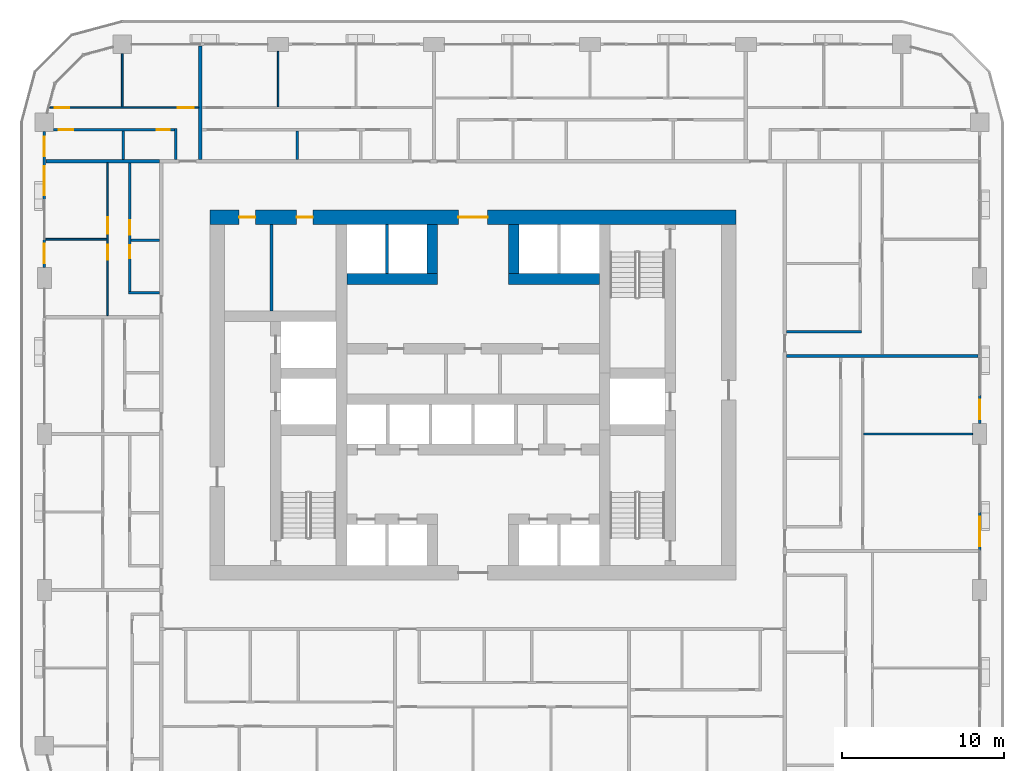
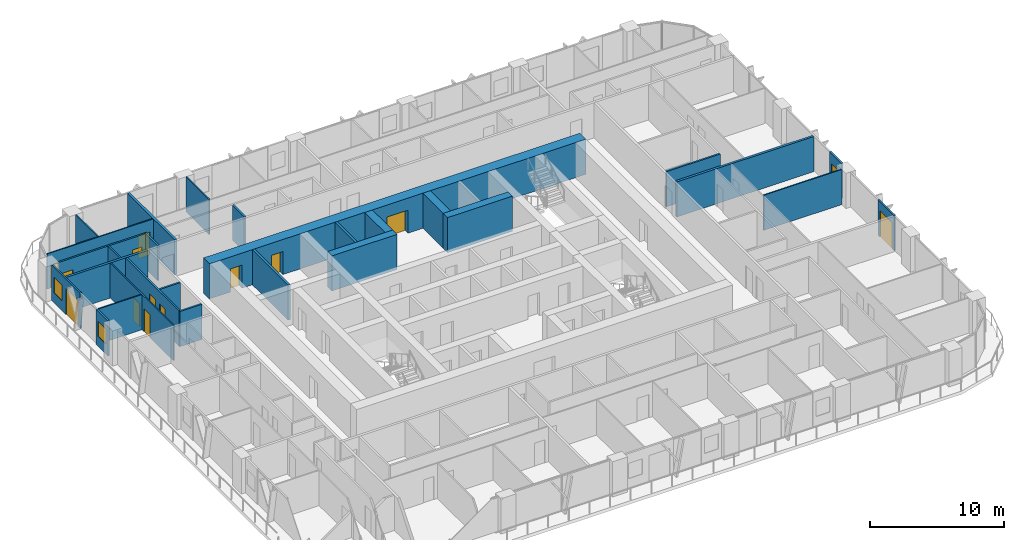
# One storey, part 13 of 22: 28 walls, 13 doors, 3 windows, 16 openings.
"""IFC4 building model written with IfcOpenShell, lengths in metres."""

from ifc_helpers import new_model, si_unit, direction, frame, frame_2d, origin, place, context, subcontext, project, spatial, rectangle, extrude, material, layer, layer_set, type_object, element, fill, save


model = new_model("IFC4")

# Units and contexts
model_context = context("Model", 3, precision=1e-05, world=origin(), true_north=direction((0.0, 1.0)))
body_context = subcontext(model_context, "Body", "Model", "MODEL_VIEW")
ifc_project = project(units=[si_unit("LENGTHUNIT", "METRE"), si_unit("AREAUNIT", "SQUARE_METRE"), si_unit("VOLUMEUNIT", "CUBIC_METRE"), si_unit("PLANEANGLEUNIT", "RADIAN"), si_unit("MASSUNIT", "GRAM", prefix="KILO")], contexts=[model_context])

# Site, building, storey
site_placement = place(None, origin())
site = spatial("IfcSite", under=ifc_project, at=site_placement, CompositionType="ELEMENT")
building_placement = place(site_placement, origin())
building = spatial("IfcBuilding", under=site, at=building_placement, Name="Madar Terraces", CompositionType="ELEMENT")
storey_placement = place(building_placement, frame((0.0, 0.0, 66.300048828125)))
storey = spatial("IfcBuildingStorey", under=building, at=storey_placement, Name="L16", CompositionType="ELEMENT", Elevation=66.300048828125)

# Walls
ifc_material_1 = material(Name="Concrete C80/95", Category="concrete")
ifc_layer_1 = layer(ifc_material_1, 0.64990234375)
ifc_layer_set_1 = layer_set([ifc_layer_1], Name="Concrete C80/95 (CIW2 RC wall 650)")
wall_type_1 = type_object("IfcWallType", Name="CIW2 RC wall 650", PredefinedType="SHEAR", material=ifc_layer_set_1)
wall_1_placement = place(storey_placement, frame((23.425048828125, 33.550048828125, 0.0), z_axis=(0.0, 0.0, 1.0), x_axis=(1.0, 0.0, 0.0)))
element("IfcWall", 1, at=wall_1_placement, inside=storey, type_object=wall_type_1, Name="CORE SHAFT WALL", PredefinedType="SHEAR", context=body_context, shape_type="SweptSolid", body=[
    extrude(rectangle(XDim=5.599853515625, YDim=0.64990234375, at=frame_2d((2.7998046875, 0.0))), origin(), (0.0, 0.0, 1.0), 3.199951171875),
])
wall_2_placement = place(storey_placement, frame((33.375, 33.550048828125, 0.0), z_axis=(0.0, 0.0, 1.0), x_axis=(1.0, 0.0, 0.0)))
element("IfcWall", 2, at=wall_2_placement, inside=storey, type_object=wall_type_1, Name="CORE SHAFT WALL", PredefinedType="SHEAR", context=body_context, shape_type="SweptSolid", body=[
    extrude(rectangle(XDim=5.60009765625, YDim=0.64990234375, at=frame_2d((2.800048828125, 0.0))), origin(), (0.0, 0.0, 1.0), 3.199951171875),
])
for number, where, z_axis, x_axis, name in (
    (3, (28.699951171875, 33.875, 0.0), (0.0, 0.0, 1.0), (0.0, 1.0, 0.0), "CORE SHAFT WALL"),
    (4, (33.699951171875, 33.875, 0.0), (0.0, 0.0, 1.0), (0.0, 1.0, 0.0), "CORE SHAFT WALL"),
):
    element("IfcWall", number, at=place(storey_placement, frame(where, z_axis=z_axis, x_axis=x_axis)), inside=storey, type_object=wall_type_1, Name=name, PredefinedType="SHEAR", context=body_context, shape_type="SweptSolid", body=[
        extrude(rectangle(XDim=3.02490234375, YDim=0.64990234375, at=frame_2d((1.512451171875, 0.0))), origin(), (0.0, 0.0, 1.0), 3.199951171875),
    ])

# Wall, openings, doors
ifc_material_2 = material(Name="Concrete C80/95", Category="concrete")
ifc_layer_2 = layer(ifc_material_2, 0.89990234375)
ifc_layer_set_2 = layer_set([ifc_layer_2], Name="Concrete C80/95 (CRW2 RC wall 900)")
wall_type_2 = type_object("IfcWallType", Name="CRW2 RC wall 900", PredefinedType="SHEAR", material=ifc_layer_set_2)
wall_3_placement = place(storey_placement, frame((15.0, 37.35009765625, 0.0), z_axis=(0.0, 0.0, 1.0), x_axis=(1.0, 0.0, 0.0)))
wall_3 = element("IfcWall", 5, at=wall_3_placement, inside=storey, type_object=wall_type_2, Name="CORE OUTER WALL", PredefinedType="SHEAR", context=body_context, shape_type="SweptSolid", body=[
    extrude(rectangle(XDim=32.39990234375, YDim=0.89990234375, at=frame_2d((16.199951171875, 0.0))), origin(), (0.0, 0.0, 1.0), 3.199951171875),
])
opening_1_placement = place(wall_3_placement, frame((15.300048828125, 0.0, 0.0)))
opening_1 = element("IfcOpeningElement", 6, at=opening_1_placement, cuts=wall_3, Name="Opening KD1", PredefinedType="OPENING", context=body_context, shape_type="SweptSolid", body=[
    extrude(rectangle(XDim=1.800048828125, YDim=2.10009765625, at=frame_2d((0.89990234375, 1.050048828125))), frame((0.0, 0.4599609375, 0.0), z_axis=(0.0, -1.0, 0.0), x_axis=(1.0, 0.0, 0.0)), (0.0, 0.0, 1.0), 0.919921875),
])
opening_2_placement = place(wall_3_placement, frame((1.793701171875, 0.0, 0.0)))
opening_2 = element("IfcOpeningElement", 7, at=opening_2_placement, cuts=wall_3, Name="Opening KD2", PredefinedType="OPENING", context=body_context, shape_type="SweptSolid", body=[
    extrude(rectangle(XDim=1.0, YDim=2.10009765625, at=frame_2d((0.5, 1.050048828125))), frame((0.0, 0.4599609375, 0.0), z_axis=(0.0, -1.0, 0.0), x_axis=(1.0, 0.0, 0.0)), (0.0, 0.0, 1.0), 0.919921875),
])
opening_3_placement = place(wall_3_placement, frame((5.331298828125, 0.0, 0.0)))
opening_3 = element("IfcOpeningElement", 8, at=opening_3_placement, cuts=wall_3, Name="Opening KD2", PredefinedType="OPENING", context=body_context, shape_type="SweptSolid", body=[
    extrude(rectangle(XDim=1.0, YDim=2.10009765625, at=frame_2d((0.5, 1.050048828125))), frame((0.0, 0.4599609375, 0.0), z_axis=(0.0, -1.0, 0.0), x_axis=(1.0, 0.0, 0.0)), (0.0, 0.0, 1.0), 0.919921875),
])
ifc_material_3 = material(Name="Steel door leaf", Category="steel")
door_type_1 = type_object("IfcDoorType", Name="Lobby door pair 1800 x 2100", OperationType="DOUBLE_DOOR_SINGLE_SWING", PredefinedType="DOOR", material=ifc_material_3)
door_1_placement = place(opening_1_placement, origin())
door_1 = element("IfcDoor", 9, at=door_1_placement, inside=storey, type_object=door_type_1, Name="LIFT LOBBY DOOR", OperationType="DOUBLE_DOOR_SINGLE_SWING", OverallHeight=2.10009765625, OverallWidth=1.800048828125, PredefinedType="DOOR", context=body_context, shape_type="SweptSolid", body=[
    extrude(rectangle(XDim=1.800048828125, YDim=2.10009765625, at=frame_2d((0.89990234375, 1.050048828125))), frame((0.0, 0.02490234375, 0.0), z_axis=(0.0, -1.0, 0.0), x_axis=(1.0, 0.0, 0.0)), (0.0, 0.0, 1.0), 0.050048828125),
])
fill(opening_1, door_1)
ifc_material_4 = material(Name="Steel door leaf", Category="steel")
door_type_2 = type_object("IfcDoorType", Name="Service room door 1000 x 2100", OperationType="NOTDEFINED", PredefinedType="DOOR", material=ifc_material_4)
door_2_placement = place(opening_2_placement, origin())
door_2 = element("IfcDoor", 10, at=door_2_placement, inside=storey, type_object=door_type_2, Name="SERVICE ROOM DOOR", OperationType="SINGLE_SWING_LEFT", OverallHeight=2.10009765625, OverallWidth=1.0, PredefinedType="DOOR", context=body_context, shape_type="SweptSolid", body=[
    extrude(rectangle(XDim=1.0, YDim=2.10009765625, at=frame_2d((0.5, 1.050048828125))), frame((0.0, 0.02490234375, 0.0), z_axis=(0.0, -1.0, 0.0), x_axis=(1.0, 0.0, 0.0)), (0.0, 0.0, 1.0), 0.050048828125),
])
fill(opening_2, door_2)
door_3_placement = place(opening_3_placement, origin())
door_3 = element("IfcDoor", 11, at=door_3_placement, inside=storey, type_object=door_type_2, Name="SERVICE ROOM DOOR", OperationType="SINGLE_SWING_RIGHT", OverallHeight=2.10009765625, OverallWidth=1.0, PredefinedType="DOOR", context=body_context, shape_type="SweptSolid", body=[
    extrude(rectangle(XDim=1.0, YDim=2.10009765625, at=frame_2d((0.5, 1.050048828125))), frame((0.0, 0.02490234375, 0.0), z_axis=(0.0, -1.0, 0.0), x_axis=(1.0, 0.0, 0.0)), (0.0, 0.0, 1.0), 0.050048828125),
])
fill(opening_3, door_3)

# Walls
ifc_material_5 = material(Name="Masonry blockwork", Category="masonry")
ifc_layer_3 = layer(ifc_material_5, 0.199951171875)
ifc_layer_set_3 = layer_set([ifc_layer_3], Name="Core partition 200 blockwork")
wall_type_3 = type_object("IfcWallType", Name="Core partition 200 blockwork", PredefinedType="PARTITIONING", material=ifc_layer_set_3)
wall_4_placement = place(storey_placement, frame((18.78759765625, 31.574951171875, 0.0), z_axis=(0.0, 0.0, 1.0), x_axis=(0.0, 1.0, 0.0)))
element("IfcWall", 12, at=wall_4_placement, inside=storey, type_object=wall_type_3, Name="SERVICE ROOM PARTITION", PredefinedType="PARTITIONING", context=body_context, shape_type="SweptSolid", body=[
    extrude(rectangle(XDim=5.324951171875, YDim=0.199951171875, at=frame_2d((2.66259765625, 0.0))), origin(), (0.0, 0.0, 1.0), 3.199951171875),
])
ifc_material_6 = material(Name="Concrete C40/50", Category="concrete")
ifc_layer_4 = layer(ifc_material_6, 0.199951171875)
ifc_layer_set_4 = layer_set([ifc_layer_4], Name="Core shaft dividing wall 200 C40/50")
wall_type_4 = type_object("IfcWallType", Name="Core shaft dividing wall 200 C40/50", PredefinedType="SOLIDWALL", material=ifc_layer_set_4)
wall_5_placement = place(storey_placement, frame((25.89990234375, 33.875, 0.0), z_axis=(0.0, 0.0, 1.0), x_axis=(0.0, 1.0, 0.0)))
element("IfcWall", 13, at=wall_5_placement, inside=storey, type_object=wall_type_4, Name="SHAFT DIVIDING WALL", PredefinedType="SOLIDWALL", context=body_context, shape_type="SweptSolid", body=[
    extrude(rectangle(XDim=3.02490234375, YDim=0.199951171875, at=frame_2d((1.512451171875, 0.0))), origin(), (0.0, 0.0, 1.0), 3.199951171875),
])

# Wall, opening, door
ifc_material_7 = material(Name="Aluminium composite panel, black, over insulated backing", Category="aluminium")
ifc_layer_5 = layer(ifc_material_7, 0.14990234375)
ifc_layer_set_5 = layer_set([ifc_layer_5], Name="Facade bay panel 150")
wall_type_5 = type_object("IfcWallType", Name="Facade bay panel 150", PredefinedType="SOLIDWALL", material=ifc_layer_set_5)
wall_6_placement = place(storey_placement, frame((62.39990234375, 16.800048828125, 0.0), z_axis=(0.0, 0.0, 1.0), x_axis=(0.0, 1.0, 0.0)))
wall_6 = element("IfcWall", 14, at=wall_6_placement, inside=storey, type_object=wall_type_5, Name="Facade bay panel", PredefinedType="SOLIDWALL", context=body_context, shape_type="SweptSolid", body=[
    extrude(rectangle(XDim=2.39990234375, YDim=0.14990234375, at=frame_2d((1.199951171875, 0.0))), origin(), (0.0, 0.0, 1.0), 3.199951171875),
])
opening_4_placement = place(wall_6_placement, frame((0.300048828125, 0.0, 0.0)))
opening_4 = element("IfcOpeningElement", 15, at=opening_4_placement, cuts=wall_6, Name="Opening ED1", PredefinedType="OPENING", context=body_context, shape_type="SweptSolid", body=[
    extrude(rectangle(XDim=1.800048828125, YDim=2.39990234375, at=frame_2d((0.89990234375, 1.199951171875))), frame((0.0, 0.0849609375, 0.0), z_axis=(0.0, -1.0, 0.0), x_axis=(1.0, 0.0, 0.0)), (0.0, 0.0, 1.0), 0.169921875),
])
ifc_material_8 = material(Name="Glass, clear, with black aluminium frame", Category="aluminium")
door_type_3 = type_object("IfcDoorType", Name="Balcony and terrace sliding door 1800 x 2400", OperationType="SLIDING_TO_LEFT", PredefinedType="DOOR", material=ifc_material_8)
door_4_placement = place(opening_4_placement, origin())
door_4 = element("IfcDoor", 16, at=door_4_placement, inside=storey, type_object=door_type_3, Name="Balcony door", OperationType="SLIDING_TO_LEFT", OverallHeight=2.39990234375, OverallWidth=1.800048828125, PredefinedType="DOOR", context=body_context, shape_type="SweptSolid", body=[
    extrude(rectangle(XDim=1.800048828125, YDim=2.39990234375, at=frame_2d((0.89990234375, 1.199951171875))), frame((0.0, 0.02490234375, 0.0), z_axis=(0.0, -1.0, 0.0), x_axis=(1.0, 0.0, 0.0)), (0.0, 0.0, 1.0), 0.050048828125),
])
fill(opening_4, door_4)

# Wall, opening, window
wall_7_placement = place(storey_placement, frame((62.39990234375, 24.64990234375, 0.0), z_axis=(0.0, 0.0, 1.0), x_axis=(0.0, 1.0, 0.0)))
wall_7 = element("IfcWall", 17, at=wall_7_placement, inside=storey, type_object=wall_type_5, Name="Facade bay panel", PredefinedType="SOLIDWALL", context=body_context, shape_type="SweptSolid", body=[
    extrude(rectangle(XDim=1.75, YDim=0.14990234375, at=frame_2d((0.875, 0.0))), origin(), (0.0, 0.0, 1.0), 3.199951171875),
])
opening_5_placement = place(wall_7_placement, frame((0.27490234375, 0.0, 0.89990234375)))
opening_5 = element("IfcOpeningElement", 18, at=opening_5_placement, cuts=wall_7, Name="Opening W1", PredefinedType="OPENING", context=body_context, shape_type="SweptSolid", body=[
    extrude(rectangle(XDim=1.199951171875, YDim=1.39990234375, at=frame_2d((0.60009765625, 0.699951171875))), frame((0.0, 0.0849609375, 0.0), z_axis=(0.0, -1.0, 0.0), x_axis=(1.0, 0.0, 0.0)), (0.0, 0.0, 1.0), 0.169921875),
])
ifc_material_9 = material(Name="Glass, clear, with black aluminium frame", Category="aluminium")
window_type = type_object("IfcWindowType", Name="Vent window 1200 x 1400", PartitioningType="SINGLE_PANEL", PredefinedType="WINDOW", material=ifc_material_9)
window_1_placement = place(opening_5_placement, origin())
window_1 = element("IfcWindow", 19, at=window_1_placement, inside=storey, type_object=window_type, Name="Operable vent window", OverallHeight=1.39990234375, OverallWidth=1.199951171875, PartitioningType="SINGLE_PANEL", PredefinedType="WINDOW", context=body_context, shape_type="SweptSolid", body=[
    extrude(rectangle(XDim=1.199951171875, YDim=1.39990234375, at=frame_2d((0.60009765625, 0.699951171875))), frame((0.0, 0.030029296875, 0.0), z_axis=(0.0, -1.0, 0.0), x_axis=(1.0, 0.0, 0.0)), (0.0, 0.0, 1.0), 0.06005859375),
])
fill(opening_5, window_1)

# Wall, openings, door, window
wall_8_placement = place(storey_placement, frame((4.800048828125, 42.625, 0.0), z_axis=(0.0, 0.0, 1.0), x_axis=(0.0, -1.0, 0.0)))
wall_8 = element("IfcWall", 20, at=wall_8_placement, inside=storey, type_object=wall_type_5, Name="Facade bay panel", PredefinedType="SOLIDWALL", context=body_context, shape_type="SweptSolid", body=[
    extrude(rectangle(XDim=4.22509765625, YDim=0.14990234375, at=frame_2d((2.112548828125, 0.0))), origin(), (0.0, 0.0, 1.0), 3.199951171875),
])
opening_6_placement = place(wall_8_placement, frame((0.3125, 0.0, 0.89990234375)))
opening_6 = element("IfcOpeningElement", 21, at=opening_6_placement, cuts=wall_8, Name="Opening W1", PredefinedType="OPENING", context=body_context, shape_type="SweptSolid", body=[
    extrude(rectangle(XDim=1.199951171875, YDim=1.39990234375, at=frame_2d((0.60009765625, 0.699951171875))), frame((0.0, 0.0849609375, 0.0), z_axis=(0.0, -1.0, 0.0), x_axis=(1.0, 0.0, 0.0)), (0.0, 0.0, 1.0), 0.169921875),
])
opening_7_placement = place(wall_8_placement, frame((2.125, 0.0, 0.0)))
opening_7 = element("IfcOpeningElement", 22, at=opening_7_placement, cuts=wall_8, Name="Opening ED1", PredefinedType="OPENING", context=body_context, shape_type="SweptSolid", body=[
    extrude(rectangle(XDim=1.800048828125, YDim=2.39990234375, at=frame_2d((0.89990234375, 1.199951171875))), frame((0.0, 0.0849609375, 0.0), z_axis=(0.0, -1.0, 0.0), x_axis=(1.0, 0.0, 0.0)), (0.0, 0.0, 1.0), 0.169921875),
])
door_5_placement = place(opening_7_placement, origin())
door_5 = element("IfcDoor", 23, at=door_5_placement, inside=storey, type_object=door_type_3, Name="Balcony door", OperationType="SLIDING_TO_RIGHT", OverallHeight=2.39990234375, OverallWidth=1.800048828125, PredefinedType="DOOR", context=body_context, shape_type="SweptSolid", body=[
    extrude(rectangle(XDim=1.800048828125, YDim=2.39990234375, at=frame_2d((0.89990234375, 1.199951171875))), frame((0.0, 0.02490234375, 0.0), z_axis=(0.0, -1.0, 0.0), x_axis=(1.0, 0.0, 0.0)), (0.0, 0.0, 1.0), 0.050048828125),
])
fill(opening_7, door_5)
window_2_placement = place(opening_6_placement, origin())
window_2 = element("IfcWindow", 24, at=window_2_placement, inside=storey, type_object=window_type, Name="Operable vent window", OverallHeight=1.39990234375, OverallWidth=1.199951171875, PartitioningType="SINGLE_PANEL", PredefinedType="WINDOW", context=body_context, shape_type="SweptSolid", body=[
    extrude(rectangle(XDim=1.199951171875, YDim=1.39990234375, at=frame_2d((0.60009765625, 0.699951171875))), frame((0.0, 0.030029296875, 0.0), z_axis=(0.0, -1.0, 0.0), x_axis=(1.0, 0.0, 0.0)), (0.0, 0.0, 1.0), 0.06005859375),
])
fill(opening_6, window_2)

# Wall, opening, window
wall_9_placement = place(storey_placement, frame((4.800048828125, 36.0, 0.0), z_axis=(0.0, 0.0, 1.0), x_axis=(0.0, -1.0, 0.0)))
wall_9 = element("IfcWall", 25, at=wall_9_placement, inside=storey, type_object=wall_type_5, Name="Facade bay panel", PredefinedType="SOLIDWALL", context=body_context, shape_type="SweptSolid", body=[
    extrude(rectangle(XDim=1.75, YDim=0.14990234375, at=frame_2d((0.875, 0.0))), origin(), (0.0, 0.0, 1.0), 3.199951171875),
])
opening_8_placement = place(wall_9_placement, frame((0.27490234375, 0.0, 0.89990234375)))
opening_8 = element("IfcOpeningElement", 26, at=opening_8_placement, cuts=wall_9, Name="Opening W1", PredefinedType="OPENING", context=body_context, shape_type="SweptSolid", body=[
    extrude(rectangle(XDim=1.199951171875, YDim=1.39990234375, at=frame_2d((0.60009765625, 0.699951171875))), frame((0.0, 0.0849609375, 0.0), z_axis=(0.0, -1.0, 0.0), x_axis=(1.0, 0.0, 0.0)), (0.0, 0.0, 1.0), 0.169921875),
])
window_3_placement = place(opening_8_placement, origin())
window_3 = element("IfcWindow", 27, at=window_3_placement, inside=storey, type_object=window_type, Name="Operable vent window", OverallHeight=1.39990234375, OverallWidth=1.199951171875, PartitioningType="SINGLE_PANEL", PredefinedType="WINDOW", context=body_context, shape_type="SweptSolid", body=[
    extrude(rectangle(XDim=1.199951171875, YDim=1.39990234375, at=frame_2d((0.60009765625, 0.699951171875))), frame((0.0, 0.030029296875, 0.0), z_axis=(0.0, -1.0, 0.0), x_axis=(1.0, 0.0, 0.0)), (0.0, 0.0, 1.0), 0.06005859375),
])
fill(opening_8, window_3)

# Walls
ifc_material_10 = material(Name="Gypsum board on steel studs", Category="steel")
ifc_layer_6 = layer(ifc_material_10, 0.10009765625)
ifc_layer_set_6 = layer_set([ifc_layer_6], Name="Flat partition 100")
wall_type_6 = type_object("IfcWallType", Name="Flat partition 100", PredefinedType="PARTITIONING", material=ifc_layer_set_6)
wall_10_placement = place(storey_placement, frame((55.25, 24.0, 0.0), z_axis=(0.0, 0.0, 1.0), x_axis=(1.0, 0.0, 0.0)))
element("IfcWall", 28, at=wall_10_placement, inside=storey, type_object=wall_type_6, Name="Flat partition 100", PredefinedType="PARTITIONING", context=body_context, shape_type="SweptSolid", body=[
    extrude(rectangle(XDim=6.72509765625, YDim=0.10009765625, at=frame_2d((3.362548828125, 0.0))), origin(), (0.0, 0.0, 1.0), 3.199951171875),
])
wall_11_placement = place(storey_placement, frame((19.199951171875, 44.14990234375, 0.0), z_axis=(0.0, 0.0, 1.0), x_axis=(0.0, 1.0, 0.0)))
element("IfcWall", 29, at=wall_11_placement, inside=storey, type_object=wall_type_6, Name="Flat partition 100", PredefinedType="PARTITIONING", context=body_context, shape_type="SweptSolid", body=[
    extrude(rectangle(XDim=3.425048828125, YDim=0.10009765625, at=frame_2d((1.71240234375, 0.0))), origin(), (0.0, 0.0, 1.0), 3.199951171875),
])
wall_12_placement = place(storey_placement, frame((9.60009765625, 44.14990234375, 0.0), z_axis=(0.0, 0.0, 1.0), x_axis=(0.0, 1.0, 0.0)))
element("IfcWall", 30, at=wall_12_placement, inside=storey, type_object=wall_type_6, Name="Flat partition 100", PredefinedType="PARTITIONING", context=body_context, shape_type="SweptSolid", body=[
    extrude(rectangle(XDim=3.275146484375, YDim=0.10009765625, at=frame_2d((1.6376953125, 0.0))), origin(), (0.0, 0.0, 1.0), 3.199951171875),
])

# Wall, openings, doors
wall_13_placement = place(storey_placement, frame((5.14111328125, 44.10009765625, 0.0), z_axis=(0.0, 0.0, 1.0), x_axis=(1.0, 0.0, 0.0)))
wall_13 = element("IfcWall", 31, at=wall_13_placement, inside=storey, type_object=wall_type_6, Name="Flat partition 100", PredefinedType="PARTITIONING", context=body_context, shape_type="SweptSolid", body=[
    extrude(rectangle(XDim=9.158935546875, YDim=0.10009765625, at=frame_2d((4.57958984375, 0.0))), origin(), (0.0, 0.0, 1.0), 3.199951171875),
])
opening_9_placement = place(wall_13_placement, frame((7.85888671875, 0.0, 0.0)))
opening_9 = element("IfcOpeningElement", 32, at=opening_9_placement, cuts=wall_13, Name="Opening D3", PredefinedType="OPENING", context=body_context, shape_type="SweptSolid", body=[
    extrude(rectangle(XDim=1.0, YDim=2.10009765625, at=frame_2d((0.5, 1.050048828125))), frame((0.0, 0.06005859375, 0.0), z_axis=(0.0, -1.0, 0.0), x_axis=(1.0, 0.0, 0.0)), (0.0, 0.0, 1.0), 0.1201171875),
])
opening_10_placement = place(wall_13_placement, frame((0.300048828125, 0.0, 0.0)))
opening_10 = element("IfcOpeningElement", 33, at=opening_10_placement, cuts=wall_13, Name="Opening D2", PredefinedType="OPENING", context=body_context, shape_type="SweptSolid", body=[
    extrude(rectangle(XDim=0.89990234375, YDim=2.10009765625, at=frame_2d((0.449951171875, 1.050048828125))), frame((0.0, 0.06005859375, 0.0), z_axis=(0.0, -1.0, 0.0), x_axis=(1.0, 0.0, 0.0)), (0.0, 0.0, 1.0), 0.1201171875),
])
ifc_material_11 = material(Name="Timber door leaf", Category="wood")
door_type_4 = type_object("IfcDoorType", Name="Flat living room door 1000", OperationType="NOTDEFINED", PredefinedType="DOOR", material=ifc_material_11)
door_6_placement = place(opening_9_placement, origin())
door_6 = element("IfcDoor", 34, at=door_6_placement, inside=storey, type_object=door_type_4, Name="Flat living room door 1000", OperationType="SINGLE_SWING_RIGHT", OverallHeight=2.10009765625, OverallWidth=1.0, PredefinedType="DOOR", context=body_context, shape_type="SweptSolid", body=[
    extrude(rectangle(XDim=1.0, YDim=2.10009765625, at=frame_2d((0.5, 1.050048828125))), frame((0.0, 0.02490234375, 0.0), z_axis=(0.0, -1.0, 0.0), x_axis=(1.0, 0.0, 0.0)), (0.0, 0.0, 1.0), 0.050048828125),
])
fill(opening_9, door_6)
ifc_material_12 = material(Name="Timber door leaf", Category="wood")
door_type_5 = type_object("IfcDoorType", Name="Flat room door 900", OperationType="NOTDEFINED", PredefinedType="DOOR", material=ifc_material_12)
door_7_placement = place(opening_10_placement, origin())
door_7 = element("IfcDoor", 35, at=door_7_placement, inside=storey, type_object=door_type_5, Name="Flat room door 900", OperationType="SINGLE_SWING_LEFT", OverallHeight=2.10009765625, OverallWidth=0.89990234375, PredefinedType="DOOR", context=body_context, shape_type="SweptSolid", body=[
    extrude(rectangle(XDim=0.89990234375, YDim=2.10009765625, at=frame_2d((0.449951171875, 1.050048828125))), frame((0.0, 0.02490234375, 0.0), z_axis=(0.0, -1.0, 0.0), x_axis=(1.0, 0.0, 0.0)), (0.0, 0.0, 1.0), 0.050048828125),
])
fill(opening_10, door_7)

# Wall
wall_14_placement = place(storey_placement, frame((8.64990234375, 36.0, 0.0), z_axis=(0.0, 0.0, 1.0), x_axis=(-1.0, 0.0, 0.0)))
element("IfcWall", 36, at=wall_14_placement, inside=storey, type_object=wall_type_6, Name="Flat partition 100", PredefinedType="PARTITIONING", context=body_context, shape_type="SweptSolid", body=[
    extrude(rectangle(XDim=3.75, YDim=0.10009765625, at=frame_2d((1.875, 0.0))), origin(), (0.0, 0.0, 1.0), 3.199951171875),
])

# Wall, openings, doors
wall_15_placement = place(storey_placement, frame((8.699951171875, 31.300048828125, 0.0), z_axis=(0.0, 0.0, 1.0), x_axis=(0.0, 1.0, 0.0)))
wall_15 = element("IfcWall", 37, at=wall_15_placement, inside=storey, type_object=wall_type_6, Name="Flat partition 100", PredefinedType="PARTITIONING", context=body_context, shape_type="SweptSolid", body=[
    extrude(rectangle(XDim=9.39990234375, YDim=0.10009765625, at=frame_2d((4.699951171875, 0.0))), origin(), (0.0, 0.0, 1.0), 3.199951171875),
])
opening_11_placement = place(wall_15_placement, frame((3.449951171875, 0.0, 0.0)))
opening_11 = element("IfcOpeningElement", 38, at=opening_11_placement, cuts=wall_15, Name="Opening D2", PredefinedType="OPENING", context=body_context, shape_type="SweptSolid", body=[
    extrude(rectangle(XDim=0.89990234375, YDim=2.10009765625, at=frame_2d((0.449951171875, 1.050048828125))), frame((0.0, 0.06005859375, 0.0), z_axis=(0.0, -1.0, 0.0), x_axis=(1.0, 0.0, 0.0)), (0.0, 0.0, 1.0), 0.1201171875),
])
opening_12_placement = place(wall_15_placement, frame((5.050048828125, 0.0, 0.0)))
opening_12 = element("IfcOpeningElement", 39, at=opening_12_placement, cuts=wall_15, Name="Opening D3", PredefinedType="OPENING", context=body_context, shape_type="SweptSolid", body=[
    extrude(rectangle(XDim=1.0, YDim=2.10009765625, at=frame_2d((0.5, 1.050048828125))), frame((0.0, 0.06005859375, 0.0), z_axis=(0.0, -1.0, 0.0), x_axis=(1.0, 0.0, 0.0)), (0.0, 0.0, 1.0), 0.1201171875),
])
door_8_placement = place(opening_12_placement, origin())
door_8 = element("IfcDoor", 40, at=door_8_placement, inside=storey, type_object=door_type_4, Name="Flat living room door 1000", OperationType="SINGLE_SWING_LEFT", OverallHeight=2.10009765625, OverallWidth=1.0, PredefinedType="DOOR", context=body_context, shape_type="SweptSolid", body=[
    extrude(rectangle(XDim=1.0, YDim=2.10009765625, at=frame_2d((0.5, 1.050048828125))), frame((0.0, 0.02490234375, 0.0), z_axis=(0.0, -1.0, 0.0), x_axis=(1.0, 0.0, 0.0)), (0.0, 0.0, 1.0), 0.050048828125),
])
fill(opening_12, door_8)
door_9_placement = place(opening_11_placement, origin())
door_9 = element("IfcDoor", 41, at=door_9_placement, inside=storey, type_object=door_type_5, Name="Flat room door 900", OperationType="SINGLE_SWING_RIGHT", OverallHeight=2.10009765625, OverallWidth=0.89990234375, PredefinedType="DOOR", context=body_context, shape_type="SweptSolid", body=[
    extrude(rectangle(XDim=0.89990234375, YDim=2.10009765625, at=frame_2d((0.449951171875, 1.050048828125))), frame((0.0, 0.02490234375, 0.0), z_axis=(0.0, -1.0, 0.0), x_axis=(1.0, 0.0, 0.0)), (0.0, 0.0, 1.0), 0.050048828125),
])
fill(opening_11, door_9)

# Walls
ifc_material_13 = material(Name="Lightweight blockwork", Category="masonry")
ifc_layer_7 = layer(ifc_material_13, 0.199951171875)
ifc_layer_set_7 = layer_set([ifc_layer_7], Name="Flat party and entrance wall 200")
wall_type_7 = type_object("IfcWallType", Name="Flat party and entrance wall 200", PredefinedType="PARTITIONING", material=ifc_layer_set_7)
wall_16_placement = place(storey_placement, frame((50.5, 28.800048828125, 0.0), z_axis=(0.0, 0.0, 1.0), x_axis=(1.0, 0.0, 0.0)))
element("IfcWall", 42, at=wall_16_placement, inside=storey, type_object=wall_type_7, Name="Flat party and entrance wall 200", PredefinedType="PARTITIONING", context=body_context, shape_type="SweptSolid", body=[
    extrude(rectangle(XDim=11.800048828125, YDim=0.199951171875, at=frame_2d((5.89990234375, 0.0))), origin(), (0.0, 0.0, 1.0), 3.199951171875),
])
for number, where, z_axis, x_axis, name in (
    (43, (14.39990234375, 47.89990234375, 0.0), (0.0, 0.0, 1.0), (0.0, -1.0, 0.0), "Flat party and entrance wall 200"),
    (44, (4.89990234375, 40.800048828125, 0.0), (0.0, 0.0, 1.0), (1.0, 0.0, 0.0), "Flat party and entrance wall 200"),
):
    element("IfcWall", number, at=place(storey_placement, frame(where, z_axis=z_axis, x_axis=x_axis)), inside=storey, type_object=wall_type_7, Name=name, PredefinedType="PARTITIONING", context=body_context, shape_type="SweptSolid", body=[
        extrude(rectangle(XDim=7.0, YDim=0.199951171875, at=frame_2d((3.5, 0.0))), origin(), (0.0, 0.0, 1.0), 3.199951171875),
    ])
ifc_material_14 = material(Name="Lightweight blockwork", Category="masonry")
ifc_layer_8 = layer(ifc_material_14, 0.14990234375)
ifc_layer_set_8 = layer_set([ifc_layer_8], Name="Flat wet-room partition 150")
wall_type_8 = type_object("IfcWallType", Name="Flat wet-room partition 150", PredefinedType="PARTITIONING", material=ifc_layer_set_8)
wall_17_placement = place(storey_placement, frame((50.5, 30.300048828125, 0.0), z_axis=(0.0, 0.0, 1.0), x_axis=(1.0, 0.0, 0.0)))
element("IfcWall", 45, at=wall_17_placement, inside=storey, type_object=wall_type_8, Name="Flat wet-room partition 150", PredefinedType="PARTITIONING", context=body_context, shape_type="SweptSolid", body=[
    extrude(rectangle(XDim=4.625, YDim=0.14990234375, at=frame_2d((2.3125, 0.0))), origin(), (0.0, 0.0, 1.0), 3.199951171875),
])
for number, where, z_axis, x_axis, name in (
    (46, (20.373046875, 40.89990234375, 0.0), (0.0, 0.0, 1.0), (0.0, 1.0, 0.0), "Flat wet-room partition 150"),
    (47, (9.655029296875, 40.89990234375, 0.0), (0.0, 0.0, 1.0), (0.0, 1.0, 0.0), "Flat wet-room partition 150"),
):
    element("IfcWall", number, at=place(storey_placement, frame(where, z_axis=z_axis, x_axis=x_axis)), inside=storey, type_object=wall_type_8, Name=name, PredefinedType="PARTITIONING", context=body_context, shape_type="SweptSolid", body=[
        extrude(rectangle(XDim=1.775146484375, YDim=0.14990234375, at=frame_2d((0.8876953125, 0.0))), origin(), (0.0, 0.0, 1.0), 3.199951171875),
    ])
wall_18_placement = place(storey_placement, frame((12.89990234375, 40.89990234375, 0.0), z_axis=(0.0, 0.0, 1.0), x_axis=(0.0, 1.0, 0.0)))
element("IfcWall", 48, at=wall_18_placement, inside=storey, type_object=wall_type_8, Name="Flat wet-room partition 150", PredefinedType="PARTITIONING", context=body_context, shape_type="SweptSolid", body=[
    extrude(rectangle(XDim=1.925048828125, YDim=0.14990234375, at=frame_2d((0.96240234375, 0.0))), origin(), (0.0, 0.0, 1.0), 3.199951171875),
])

# Wall, openings, doors
wall_19_placement = place(storey_placement, frame((12.824951171875, 42.75, 0.0), z_axis=(0.0, 0.0, 1.0), x_axis=(-1.0, 0.0, 0.0)))
wall_19 = element("IfcWall", 49, at=wall_19_placement, inside=storey, type_object=wall_type_8, Name="Flat wet-room partition 150", PredefinedType="PARTITIONING", context=body_context, shape_type="SweptSolid", body=[
    extrude(rectangle(XDim=7.449951171875, YDim=0.14990234375, at=frame_2d((3.72509765625, 0.0))), origin(), (0.0, 0.0, 1.0), 3.199951171875),
])
opening_13_placement = place(wall_19_placement, frame((0.300048828125, 0.0, 0.0)))
opening_13 = element("IfcOpeningElement", 50, at=opening_13_placement, cuts=wall_19, Name="Opening D4", PredefinedType="OPENING", context=body_context, shape_type="SweptSolid", body=[
    extrude(rectangle(XDim=0.800048828125, YDim=2.10009765625, at=frame_2d((0.39990234375, 1.050048828125))), frame((0.0, 0.0849609375, 0.0), z_axis=(0.0, -1.0, 0.0), x_axis=(1.0, 0.0, 0.0)), (0.0, 0.0, 1.0), 0.169921875),
])
opening_14_placement = place(wall_19_placement, frame((6.25, 0.0, 0.0)))
opening_14 = element("IfcOpeningElement", 51, at=opening_14_placement, cuts=wall_19, Name="Opening D2", PredefinedType="OPENING", context=body_context, shape_type="SweptSolid", body=[
    extrude(rectangle(XDim=0.89990234375, YDim=2.10009765625, at=frame_2d((0.449951171875, 1.050048828125))), frame((0.0, 0.0849609375, 0.0), z_axis=(0.0, -1.0, 0.0), x_axis=(1.0, 0.0, 0.0)), (0.0, 0.0, 1.0), 0.169921875),
])
ifc_material_15 = material(Name="Timber door leaf", Category="wood")
door_type_6 = type_object("IfcDoorType", Name="Flat bathroom door 800", OperationType="NOTDEFINED", PredefinedType="DOOR", material=ifc_material_15)
door_10_placement = place(opening_13_placement, origin())
door_10 = element("IfcDoor", 52, at=door_10_placement, inside=storey, type_object=door_type_6, Name="Flat bathroom door 800", OperationType="SINGLE_SWING_LEFT", OverallHeight=2.10009765625, OverallWidth=0.800048828125, PredefinedType="DOOR", context=body_context, shape_type="SweptSolid", body=[
    extrude(rectangle(XDim=0.800048828125, YDim=2.10009765625, at=frame_2d((0.39990234375, 1.050048828125))), frame((0.0, 0.02490234375, 0.0), z_axis=(0.0, -1.0, 0.0), x_axis=(1.0, 0.0, 0.0)), (0.0, 0.0, 1.0), 0.050048828125),
])
fill(opening_13, door_10)
door_11_placement = place(opening_14_placement, origin())
door_11 = element("IfcDoor", 53, at=door_11_placement, inside=storey, type_object=door_type_5, Name="Flat room door 900", OperationType="SINGLE_SWING_RIGHT", OverallHeight=2.10009765625, OverallWidth=0.89990234375, PredefinedType="DOOR", context=body_context, shape_type="SweptSolid", body=[
    extrude(rectangle(XDim=0.89990234375, YDim=2.10009765625, at=frame_2d((0.449951171875, 1.050048828125))), frame((0.0, 0.02490234375, 0.0), z_axis=(0.0, -1.0, 0.0), x_axis=(1.0, 0.0, 0.0)), (0.0, 0.0, 1.0), 0.050048828125),
])
fill(opening_14, door_11)

# Walls
wall_20_placement = place(storey_placement, frame((11.89990234375, 35.945068359375, 0.0), z_axis=(0.0, 0.0, 1.0), x_axis=(-1.0, 0.0, 0.0)))
element("IfcWall", 54, at=wall_20_placement, inside=storey, type_object=wall_type_8, Name="Flat wet-room partition 150", PredefinedType="PARTITIONING", context=body_context, shape_type="SweptSolid", body=[
    extrude(rectangle(XDim=1.77490234375, YDim=0.14990234375, at=frame_2d((0.887451171875, 0.0))), origin(), (0.0, 0.0, 1.0), 3.199951171875),
])
wall_21_placement = place(storey_placement, frame((11.89990234375, 32.699951171875, 0.0), z_axis=(0.0, 0.0, 1.0), x_axis=(-1.0, 0.0, 0.0)))
element("IfcWall", 55, at=wall_21_placement, inside=storey, type_object=wall_type_8, Name="Flat wet-room partition 150", PredefinedType="PARTITIONING", context=body_context, shape_type="SweptSolid", body=[
    extrude(rectangle(XDim=1.9248046875, YDim=0.14990234375, at=frame_2d((0.96240234375, 0.0))), origin(), (0.0, 0.0, 1.0), 3.199951171875),
])

# Wall, openings, doors
wall_22_placement = place(storey_placement, frame((10.050048828125, 40.699951171875, 0.0), z_axis=(0.0, 0.0, 1.0), x_axis=(0.0, -1.0, 0.0)))
wall_22 = element("IfcWall", 56, at=wall_22_placement, inside=storey, type_object=wall_type_8, Name="Flat wet-room partition 150", PredefinedType="PARTITIONING", context=body_context, shape_type="SweptSolid", body=[
    extrude(rectangle(XDim=7.925048828125, YDim=0.14990234375, at=frame_2d((3.96240234375, 0.0))), origin(), (0.0, 0.0, 1.0), 3.199951171875),
])
opening_15_placement = place(wall_22_placement, frame((5.080078125, 0.0, 0.0)))
opening_15 = element("IfcOpeningElement", 57, at=opening_15_placement, cuts=wall_22, Name="Opening D4", PredefinedType="OPENING", context=body_context, shape_type="SweptSolid", body=[
    extrude(rectangle(XDim=0.800048828125, YDim=2.10009765625, at=frame_2d((0.39990234375, 1.050048828125))), frame((0.0, 0.0849609375, 0.0), z_axis=(0.0, -1.0, 0.0), x_axis=(1.0, 0.0, 0.0)), (0.0, 0.0, 1.0), 0.169921875),
])
opening_16_placement = place(wall_22_placement, frame((3.530029296875, 0.0, 0.0)))
opening_16 = element("IfcOpeningElement", 58, at=opening_16_placement, cuts=wall_22, Name="Opening D2", PredefinedType="OPENING", context=body_context, shape_type="SweptSolid", body=[
    extrude(rectangle(XDim=0.89990234375, YDim=2.10009765625, at=frame_2d((0.449951171875, 1.050048828125))), frame((0.0, 0.0849609375, 0.0), z_axis=(0.0, -1.0, 0.0), x_axis=(1.0, 0.0, 0.0)), (0.0, 0.0, 1.0), 0.169921875),
])
door_12_placement = place(opening_15_placement, origin())
door_12 = element("IfcDoor", 59, at=door_12_placement, inside=storey, type_object=door_type_6, Name="Flat bathroom door 800", OperationType="SINGLE_SWING_LEFT", OverallHeight=2.10009765625, OverallWidth=0.800048828125, PredefinedType="DOOR", context=body_context, shape_type="SweptSolid", body=[
    extrude(rectangle(XDim=0.800048828125, YDim=2.10009765625, at=frame_2d((0.39990234375, 1.050048828125))), frame((0.0, 0.02490234375, 0.0), z_axis=(0.0, -1.0, 0.0), x_axis=(1.0, 0.0, 0.0)), (0.0, 0.0, 1.0), 0.050048828125),
])
fill(opening_15, door_12)
door_13_placement = place(opening_16_placement, origin())
door_13 = element("IfcDoor", 60, at=door_13_placement, inside=storey, type_object=door_type_5, Name="Flat room door 900", OperationType="SINGLE_SWING_RIGHT", OverallHeight=2.10009765625, OverallWidth=0.89990234375, PredefinedType="DOOR", context=body_context, shape_type="SweptSolid", body=[
    extrude(rectangle(XDim=0.89990234375, YDim=2.10009765625, at=frame_2d((0.449951171875, 1.050048828125))), frame((0.0, 0.02490234375, 0.0), z_axis=(0.0, -1.0, 0.0), x_axis=(1.0, 0.0, 0.0)), (0.0, 0.0, 1.0), 0.050048828125),
])
fill(opening_16, door_13)

save(model, "model.ifc")
